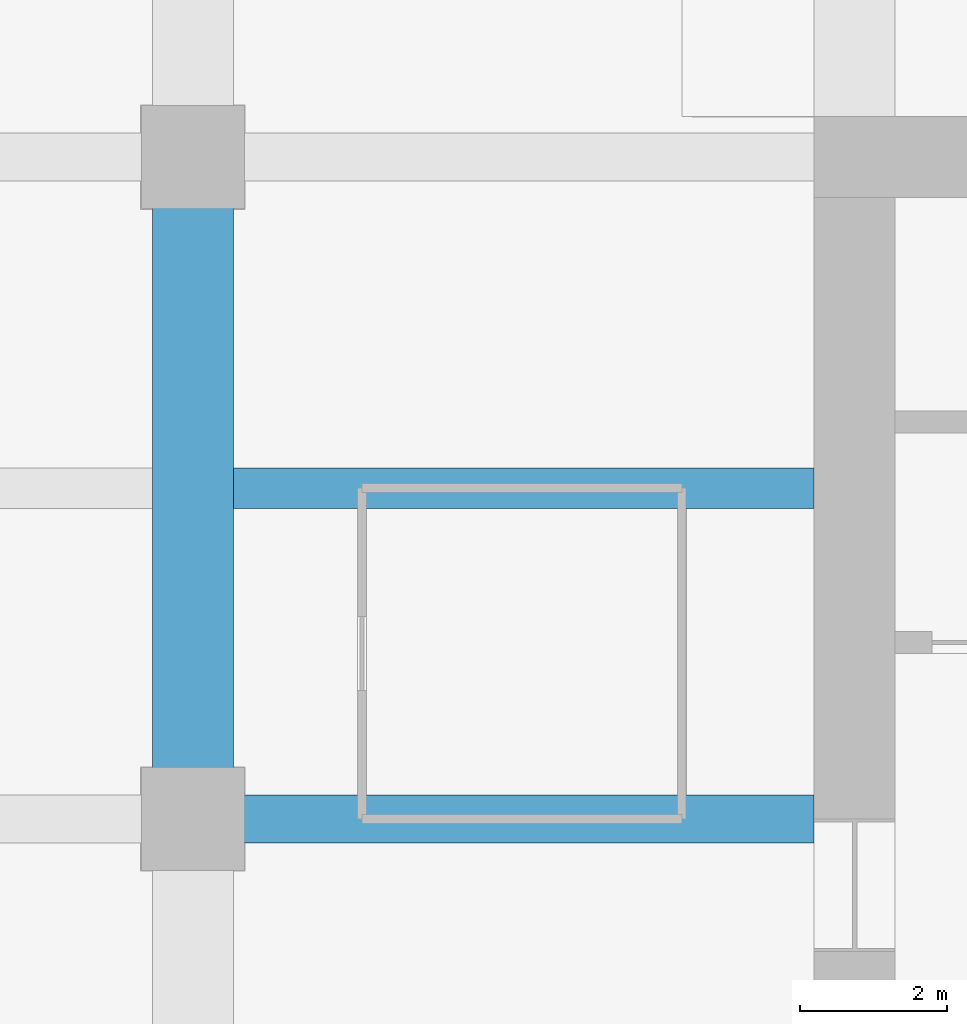
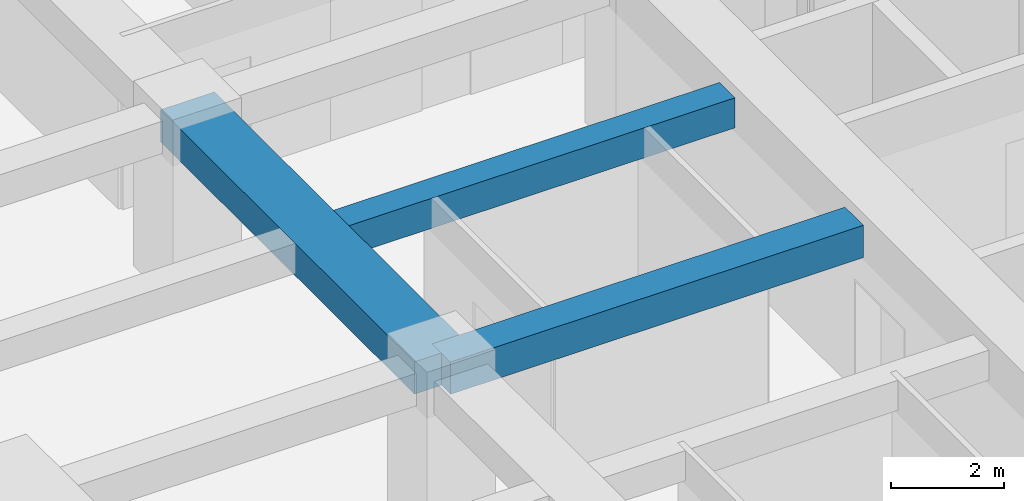
# One storey, part 12 of 32: 3 beams.
"""IFC4 building model written with IfcOpenShell, lengths in metres."""

from ifc_helpers import new_model, si_unit, direction, frame, origin, origin_2d, place, context, subcontext, project, spatial, rectangle, extrude, material, material_profile, profile_set, type_object, element, save


model = new_model("IFC4")

# Units and contexts
model_context = context("Model", 3, precision=1e-05, world=origin(), true_north=direction((0.0, 1.0)))
body_context = subcontext(model_context, "Body", "Model", "MODEL_VIEW")
ifc_project = project(units=[si_unit("LENGTHUNIT", "METRE"), si_unit("AREAUNIT", "SQUARE_METRE"), si_unit("VOLUMEUNIT", "CUBIC_METRE"), si_unit("PLANEANGLEUNIT", "RADIAN"), si_unit("MASSUNIT", "GRAM", prefix="KILO")], contexts=[model_context])

# Site, building, storey
site_placement = place(None, origin())
site = spatial("IfcSite", under=ifc_project, at=site_placement, CompositionType="ELEMENT")
building_placement = place(site_placement, origin())
building = spatial("IfcBuilding", under=site, at=building_placement, Name="Zorevar Civic Tower", CompositionType="ELEMENT")
storey_placement = place(building_placement, frame((0.0, 0.0, 202.199951171875)))
storey = spatial("IfcBuildingStorey", under=building, at=storey_placement, Name="L49", CompositionType="ELEMENT", Elevation=202.199951171875)

# Beams
ifc_material_1 = material(Name="Concrete C50/60", Category="concrete")
ifc_material_profile_1 = material_profile(ifc_material_1, rectangle(XDim=1.10009765625, YDim=0.699951171875, at=origin_2d()), Name="RC 1100x700")
ifc_profile_set_1 = profile_set([ifc_material_profile_1], Name="Concrete C50/60")
beam_type_1 = type_object("IfcBeamType", Name="Beam RC 1100x700", PredefinedType="BEAM", material=ifc_profile_set_1)
beam_1_placement = place(storey_placement, frame((9.0, 27.0, 3.400146484375), z_axis=(0.0, 1.0, 0.0), x_axis=(-1.0, 0.0, 0.0)))
element("IfcBeam", 1, at=beam_1_placement, inside=storey, type_object=beam_type_1, Name="Girder L50", PredefinedType="BEAM", context=body_context, shape_type="SweptSolid", body=[
    extrude(rectangle(XDim=1.10009765625, YDim=0.699951171875, at=origin_2d()), origin(), (0.0, 0.0, 1.0), 9.0),
])
ifc_material_2 = material(Name="Concrete C50/60", Category="concrete")
ifc_material_profile_2 = material_profile(ifc_material_2, rectangle(XDim=0.550048828125, YDim=0.64990234375, at=origin_2d()), Name="RC 550x650")
ifc_profile_set_2 = profile_set([ifc_material_profile_2], Name="Concrete C50/60")
beam_type_2 = type_object("IfcBeamType", Name="Beam RC 550x650", PredefinedType="BEAM", material=ifc_profile_set_2)
beam_2_placement = place(storey_placement, frame((9.550048828125, 31.5, 3.425048828125), z_axis=(1.0, 0.0, 0.0), x_axis=(0.0, 1.0, 0.0)))
element("IfcBeam", 2, at=beam_2_placement, inside=storey, type_object=beam_type_2, Name="Secondary beam L50", PredefinedType="BEAM", context=body_context, shape_type="SweptSolid", body=[
    extrude(rectangle(XDim=0.550048828125, YDim=0.64990234375, at=origin_2d()), origin(), (0.0, 0.0, 1.0), 7.89990234375),
])
ifc_material_3 = material(Name="Concrete C50/60", Category="concrete")
ifc_material_profile_3 = material_profile(ifc_material_3, rectangle(XDim=0.64990234375, YDim=0.699951171875, at=origin_2d()), Name="RC 650x700")
ifc_profile_set_3 = profile_set([ifc_material_profile_3], Name="Concrete C50/60")
beam_type_3 = type_object("IfcBeamType", Name="Beam RC 650x700", PredefinedType="BEAM", material=ifc_profile_set_3)
beam_3_placement = place(storey_placement, frame((9.0, 27.0, 3.400146484375), z_axis=(1.0, 0.0, 0.0), x_axis=(0.0, 1.0, 0.0)))
element("IfcBeam", 3, at=beam_3_placement, inside=storey, type_object=beam_type_3, Name="Girder L50", PredefinedType="BEAM", context=body_context, shape_type="SweptSolid", body=[
    extrude(rectangle(XDim=0.64990234375, YDim=0.699951171875, at=origin_2d()), origin(), (0.0, 0.0, 1.0), 8.449951171875),
])

save(model, "model.ifc")
